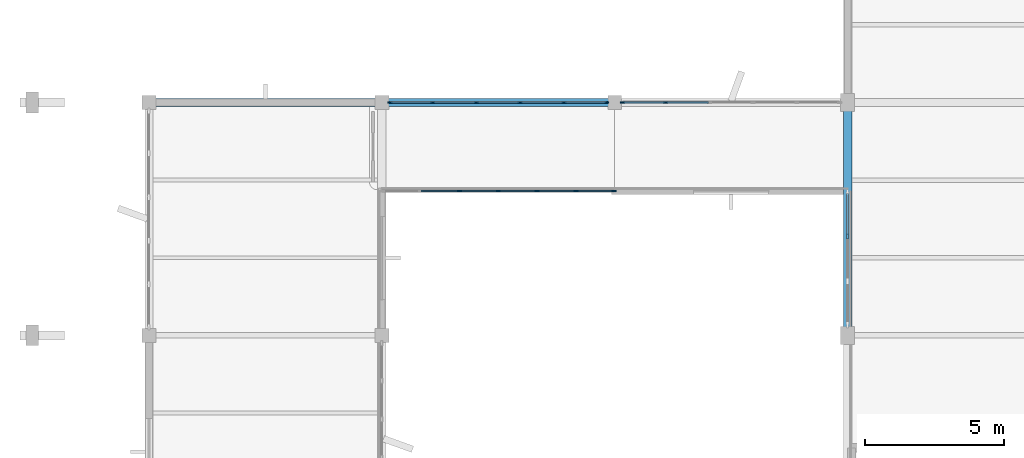
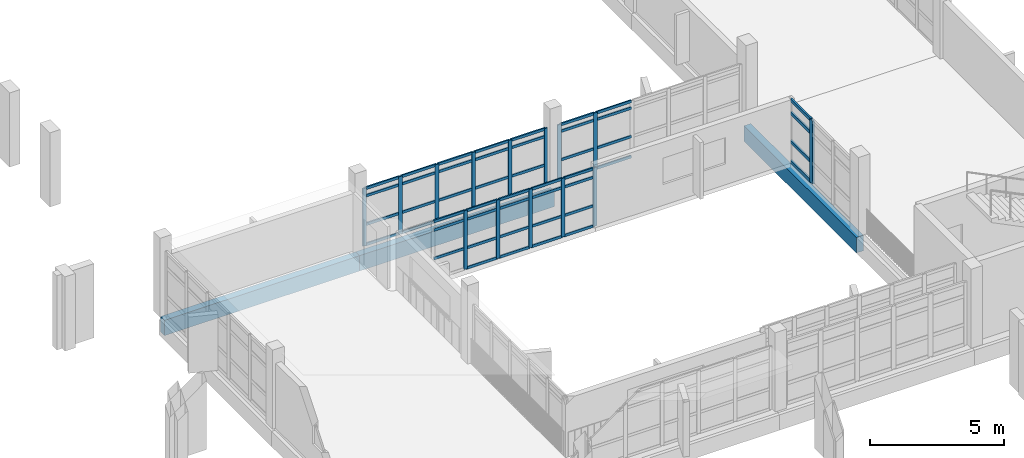
# One storey, part 9 of 104: 65 members, 3 beams, 4 elements without a shape of their own.
"""IFC4 building model written with IfcOpenShell, lengths in metres."""

from ifc_helpers import new_model, si_unit, direction, frame, origin, origin_2d, place, context, subcontext, project, spatial, rectangle, extrude, material, material_profile, profile_set, type_object, element, aggregate, save


model = new_model("IFC4")

# Units and contexts
model_context = context("Model", 3, precision=1e-05, world=origin(), true_north=direction((0.0, 1.0)))
body_context = subcontext(model_context, "Body", "Model", "MODEL_VIEW")
ifc_project = project(units=[si_unit("LENGTHUNIT", "METRE"), si_unit("AREAUNIT", "SQUARE_METRE"), si_unit("VOLUMEUNIT", "CUBIC_METRE"), si_unit("PLANEANGLEUNIT", "RADIAN"), si_unit("MASSUNIT", "GRAM", prefix="KILO")], contexts=[model_context])

# Site, building, storey
site_placement = place(None, origin())
site = spatial("IfcSite", under=ifc_project, at=site_placement, CompositionType="ELEMENT")
building_placement = place(site_placement, origin())
building = spatial("IfcBuilding", under=site, at=building_placement, Name="Vanh Quang Courtyard School", CompositionType="ELEMENT")
storey_placement = place(building_placement, frame((0.0, 0.0, 4.199951171875)))
storey = spatial("IfcBuildingStorey", under=building, at=storey_placement, Name="L01", CompositionType="ELEMENT", Elevation=4.199951171875)

# Beams
ifc_material_1 = material(Name="Concrete C35/45", Category="concrete")
ifc_material_profile_1 = material_profile(ifc_material_1, rectangle(XDim=0.300048828125, YDim=0.699951171875, at=origin_2d()), Name="RC-SP 300x700")
ifc_profile_set_1 = profile_set([ifc_material_profile_1], Name="Concrete C35/45")
beam_type = type_object("IfcBeamType", Name="BM-SP-300x700", PredefinedType="SPANDREL", material=ifc_profile_set_1)
beam_placement = place(storey_placement, frame((4.199951171875, 21.0, -0.6298828125), z_axis=(1.0, 0.0, 0.0), x_axis=(0.0, 1.0, 0.0)))
element("IfcBeam", 1, at=beam_placement, inside=storey, type_object=beam_type, Name="Beam BS-01 (L01)", PredefinedType="SPANDREL", context=body_context, shape_type="SweptSolid", body=[
    extrude(rectangle(XDim=0.300048828125, YDim=0.699951171875, at=origin_2d()), origin(), (0.0, 0.0, 1.0), 8.400146484375),
])
for number, where, z_axis, x_axis, name in (
    (2, (12.60009765625, 21.0, -0.6298828125), (1.0, 0.0, 0.0), (0.0, 1.0, 0.0), "Beam BS-01 (L01)"),
    (3, (29.39990234375, 12.60009765625, -0.6298828125), (0.0, 1.0, 0.0), (-1.0, 0.0, 0.0), "Beam BS-01 (L01)"),
):
    element("IfcBeam", number, at=place(storey_placement, frame(where, z_axis=z_axis, x_axis=x_axis)), inside=storey, type_object=beam_type, Name=name, PredefinedType="SPANDREL", context=body_context, shape_type="SweptSolid", body=[
        extrude(rectangle(XDim=0.300048828125, YDim=0.699951171875, at=origin_2d()), origin(), (0.0, 0.0, 1.0), 8.39990234375),
    ])

# Curtain wall, members
ifc_material_2 = material(Name="Thermally broken aluminium unitised curtain wall", Category="aluminium")
curtain_wall_type_1 = type_object("IfcCurtainWallType", Name="CW-SYS-19", PredefinedType="NOTDEFINED", material=ifc_material_2)
curtain_wall_1_placement = place(storey_placement, origin())
curtain_wall_1 = element("IfcCurtainWall", 4, at=curtain_wall_1_placement, inside=storey, type_object=curtain_wall_type_1, Name="Curtain Wall CW-19 (L01)", PredefinedType="NOTDEFINED")
ifc_material_3 = material(Name="Anodised aluminium 6063-T6", Category="aluminium")
ifc_material_profile_2 = material_profile(ifc_material_3, rectangle(XDim=0.06005859375, YDim=0.159912109375, at=origin_2d()), Name="ALU-MUL 60x160")
ifc_profile_set_2 = profile_set([ifc_material_profile_2], Name="Anodised aluminium 6063-T6")
member_type_1 = type_object("IfcMemberType", Name="CW-MUL-60x160", PredefinedType="MULLION", material=ifc_profile_set_2)
member_1_placement = place(storey_placement, frame((21.2880859375, 21.0, 0.0), z_axis=(0.0, 0.0, 1.0), x_axis=(0.0, 1.0, 0.0)))
member_1 = element("IfcMember", 5, at=member_1_placement, type_object=member_type_1, Name="CW-19 mullion 1", PredefinedType="MULLION", context=body_context, shape_type="SweptSolid", body=[
    extrude(rectangle(XDim=0.06005859375, YDim=0.159912109375, at=origin_2d()), origin(), (0.0, 0.0, 1.0), 2.580078125),
])
member_2_placement = place(storey_placement, frame((22.834716796875, 21.0, 0.0), z_axis=(0.0, 0.0, 1.0), x_axis=(0.0, 1.0, 0.0)))
member_2 = element("IfcMember", 6, at=member_2_placement, type_object=member_type_1, Name="CW-19 mullion 2", PredefinedType="MULLION", context=body_context, shape_type="SweptSolid", body=[
    extrude(rectangle(XDim=0.06005859375, YDim=0.159912109375, at=origin_2d()), origin(), (0.0, 0.0, 1.0), 2.580078125),
])

curtain_wall_2_placement = place(storey_placement, origin())
curtain_wall_2 = element("IfcCurtainWall", 7, at=curtain_wall_2_placement, inside=storey, type_object=curtain_wall_type_1, Name="Curtain Wall CW-19 (L01)", PredefinedType="NOTDEFINED")
member_3_placement = place(storey_placement, frame((12.887939453125, 21.0, 0.0), z_axis=(0.0, 0.0, 1.0), x_axis=(0.0, 1.0, 0.0)))
member_3 = element("IfcMember", 8, at=member_3_placement, type_object=member_type_1, Name="CW-19 mullion 1", PredefinedType="MULLION", context=body_context, shape_type="SweptSolid", body=[
    extrude(rectangle(XDim=0.06005859375, YDim=0.159912109375, at=origin_2d()), origin(), (0.0, 0.0, 1.0), 2.6201171875),
])
member_4_placement = place(storey_placement, frame((14.434814453125, 21.0, 0.0), z_axis=(0.0, 0.0, 1.0), x_axis=(0.0, 1.0, 0.0)))
member_4 = element("IfcMember", 9, at=member_4_placement, type_object=member_type_1, Name="CW-19 mullion 2", PredefinedType="MULLION", context=body_context, shape_type="SweptSolid", body=[
    extrude(rectangle(XDim=0.06005859375, YDim=0.159912109375, at=origin_2d()), origin(), (0.0, 0.0, 1.0), 2.6201171875),
])
member_5_placement = place(storey_placement, frame((16.01171875, 21.0, 0.0), z_axis=(0.0, 0.0, 1.0), x_axis=(0.0, 1.0, 0.0)))
member_5 = element("IfcMember", 10, at=member_5_placement, type_object=member_type_1, Name="CW-19 mullion 3", PredefinedType="MULLION", context=body_context, shape_type="SweptSolid", body=[
    extrude(rectangle(XDim=0.06005859375, YDim=0.159912109375, at=origin_2d()), origin(), (0.0, 0.0, 1.0), 2.6201171875),
])
member_6_placement = place(storey_placement, frame((17.58837890625, 21.0, 0.0), z_axis=(0.0, 0.0, 1.0), x_axis=(0.0, 1.0, 0.0)))
member_6 = element("IfcMember", 11, at=member_6_placement, type_object=member_type_1, Name="CW-19 mullion 4", PredefinedType="MULLION", context=body_context, shape_type="SweptSolid", body=[
    extrude(rectangle(XDim=0.06005859375, YDim=0.159912109375, at=origin_2d()), origin(), (0.0, 0.0, 1.0), 2.6201171875),
])
member_7_placement = place(storey_placement, frame((19.165283203125, 21.0, 0.0), z_axis=(0.0, 0.0, 1.0), x_axis=(0.0, 1.0, 0.0)))
member_7 = element("IfcMember", 12, at=member_7_placement, type_object=member_type_1, Name="CW-19 mullion 5", PredefinedType="MULLION", context=body_context, shape_type="SweptSolid", body=[
    extrude(rectangle(XDim=0.06005859375, YDim=0.159912109375, at=origin_2d()), origin(), (0.0, 0.0, 1.0), 2.6201171875),
])
member_8_placement = place(storey_placement, frame((20.7119140625, 21.0, 0.0), z_axis=(0.0, 0.0, 1.0), x_axis=(0.0, 1.0, 0.0)))
member_8 = element("IfcMember", 13, at=member_8_placement, type_object=member_type_1, Name="CW-19 mullion 6", PredefinedType="MULLION", context=body_context, shape_type="SweptSolid", body=[
    extrude(rectangle(XDim=0.06005859375, YDim=0.159912109375, at=origin_2d()), origin(), (0.0, 0.0, 1.0), 2.6201171875),
])

curtain_wall_type_2 = type_object("IfcCurtainWallType", Name="CW-SYS-33", PredefinedType="NOTDEFINED", material=ifc_material_2)
curtain_wall_3_placement = place(storey_placement, origin())
curtain_wall_3 = element("IfcCurtainWall", 14, at=curtain_wall_3_placement, inside=storey, type_object=curtain_wall_type_2, Name="Curtain Wall CW-33 (L01)", PredefinedType="NOTDEFINED")
member_9_placement = place(storey_placement, frame((20.969970703125, 17.800048828125, 0.0), z_axis=(0.0, 0.0, 1.0), x_axis=(0.0, -1.0, 0.0)))
member_9 = element("IfcMember", 15, at=member_9_placement, type_object=member_type_1, Name="CW-33 mullion 1", PredefinedType="MULLION", context=body_context, shape_type="SweptSolid", body=[
    extrude(rectangle(XDim=0.06005859375, YDim=0.159912109375, at=origin_2d()), origin(), (0.0, 0.0, 1.0), 2.670166015625),
])
member_10_placement = place(storey_placement, frame((19.60009765625, 17.800048828125, 0.0), z_axis=(0.0, 0.0, 1.0), x_axis=(0.0, -1.0, 0.0)))
member_10 = element("IfcMember", 16, at=member_10_placement, type_object=member_type_1, Name="CW-33 mullion 2", PredefinedType="MULLION", context=body_context, shape_type="SweptSolid", body=[
    extrude(rectangle(XDim=0.06005859375, YDim=0.159912109375, at=origin_2d()), origin(), (0.0, 0.0, 1.0), 2.670166015625),
])
member_11_placement = place(storey_placement, frame((18.199951171875, 17.800048828125, 0.0), z_axis=(0.0, 0.0, 1.0), x_axis=(0.0, -1.0, 0.0)))
member_11 = element("IfcMember", 17, at=member_11_placement, type_object=member_type_1, Name="CW-33 mullion 3", PredefinedType="MULLION", context=body_context, shape_type="SweptSolid", body=[
    extrude(rectangle(XDim=0.06005859375, YDim=0.159912109375, at=origin_2d()), origin(), (0.0, 0.0, 1.0), 2.670166015625),
])
member_12_placement = place(storey_placement, frame((16.800048828125, 17.800048828125, 0.0), z_axis=(0.0, 0.0, 1.0), x_axis=(0.0, -1.0, 0.0)))
member_12 = element("IfcMember", 18, at=member_12_placement, type_object=member_type_1, Name="CW-33 mullion 4", PredefinedType="MULLION", context=body_context, shape_type="SweptSolid", body=[
    extrude(rectangle(XDim=0.06005859375, YDim=0.159912109375, at=origin_2d()), origin(), (0.0, 0.0, 1.0), 2.670166015625),
])
member_13_placement = place(storey_placement, frame((15.39990234375, 17.800048828125, 0.0), z_axis=(0.0, 0.0, 1.0), x_axis=(0.0, -1.0, 0.0)))
member_13 = element("IfcMember", 19, at=member_13_placement, type_object=member_type_1, Name="CW-33 mullion 5", PredefinedType="MULLION", context=body_context, shape_type="SweptSolid", body=[
    extrude(rectangle(XDim=0.06005859375, YDim=0.159912109375, at=origin_2d()), origin(), (0.0, 0.0, 1.0), 2.670166015625),
])

# Curtain wall, member
curtain_wall_type_3 = type_object("IfcCurtainWallType", Name="CW-SYS-32", PredefinedType="NOTDEFINED", material=ifc_material_2)
curtain_wall_4_placement = place(storey_placement, origin())
curtain_wall_4 = element("IfcCurtainWall", 20, at=curtain_wall_4_placement, inside=storey, type_object=curtain_wall_type_3, Name="Curtain Wall CW-32 (L01)", PredefinedType="NOTDEFINED")
ifc_material_profile_3 = material_profile(ifc_material_3, rectangle(XDim=0.080078125, YDim=0.199951171875, at=origin_2d()), Name="ALU-MUL 80x200")
ifc_profile_set_3 = profile_set([ifc_material_profile_3], Name="Anodised aluminium 6063-T6")
member_type_2 = type_object("IfcMemberType", Name="CW-MUL-80x200", PredefinedType="MULLION", material=ifc_profile_set_3)
member_14_placement = place(storey_placement, frame((29.39990234375, 16.177734375, 0.0), z_axis=(0.0, 0.0, 1.0), x_axis=(-1.0, 0.0, 0.0)))
member_14 = element("IfcMember", 21, at=member_14_placement, type_object=member_type_2, Name="CW-32 mullion 3", PredefinedType="MULLION", context=body_context, shape_type="SweptSolid", body=[
    extrude(rectangle(XDim=0.080078125, YDim=0.199951171875, at=origin_2d()), origin(), (0.0, 0.0, 1.0), 2.880126953125),
])

# Member
ifc_material_profile_4 = material_profile(ifc_material_3, rectangle(XDim=0.06005859375, YDim=0.1201171875, at=origin_2d()), Name="ALU-TRN 60x120")
ifc_profile_set_4 = profile_set([ifc_material_profile_4], Name="Anodised aluminium 6063-T6")
member_type_3 = type_object("IfcMemberType", Name="CW-TRN-60x120", PredefinedType="USERDEFINED", material=ifc_profile_set_4)
member_15_placement = place(storey_placement, frame((21.318115234375, 21.0, 0.030029296875), z_axis=(1.0, 0.0, 0.0), x_axis=(0.0, 1.0, 0.0)))
member_15 = element("IfcMember", 22, at=member_15_placement, type_object=member_type_3, Name="CW-19 transom 1.1", ObjectType="TRANSOM", PredefinedType="USERDEFINED", context=body_context, shape_type="SweptSolid", body=[
    extrude(rectangle(XDim=0.06005859375, YDim=0.1201171875, at=origin_2d()), origin(), (0.0, 0.0, 1.0), 1.486572265625),
])

member_16_placement = place(storey_placement, frame((21.318115234375, 21.0, 0.949951171875), z_axis=(1.0, 0.0, 0.0), x_axis=(0.0, 1.0, 0.0)))
member_16 = element("IfcMember", 23, at=member_16_placement, type_object=member_type_3, Name="CW-19 transom 1.2", ObjectType="TRANSOM", PredefinedType="USERDEFINED", context=body_context, shape_type="SweptSolid", body=[
    extrude(rectangle(XDim=0.06005859375, YDim=0.1201171875, at=origin_2d()), origin(), (0.0, 0.0, 1.0), 1.486572265625),
])

member_17_placement = place(storey_placement, frame((21.318115234375, 21.0, 2.25), z_axis=(1.0, 0.0, 0.0), x_axis=(0.0, 1.0, 0.0)))
member_17 = element("IfcMember", 24, at=member_17_placement, type_object=member_type_3, Name="CW-19 transom 1.3", ObjectType="TRANSOM", PredefinedType="USERDEFINED", context=body_context, shape_type="SweptSolid", body=[
    extrude(rectangle(XDim=0.06005859375, YDim=0.1201171875, at=origin_2d()), origin(), (0.0, 0.0, 1.0), 1.486572265625),
])

member_18_placement = place(storey_placement, frame((21.318115234375, 21.0, 2.550048828125), z_axis=(1.0, 0.0, 0.0), x_axis=(0.0, 1.0, 0.0)))
member_18 = element("IfcMember", 25, at=member_18_placement, type_object=member_type_3, Name="CW-19 transom 1.4", ObjectType="TRANSOM", PredefinedType="USERDEFINED", context=body_context, shape_type="SweptSolid", body=[
    extrude(rectangle(XDim=0.06005859375, YDim=0.1201171875, at=origin_2d()), origin(), (0.0, 0.0, 1.0), 1.486572265625),
])

member_19_placement = place(storey_placement, frame((22.86474609375, 21.0, 0.030029296875), z_axis=(1.0, 0.0, 0.0), x_axis=(0.0, 1.0, 0.0)))
member_19 = element("IfcMember", 26, at=member_19_placement, type_object=member_type_3, Name="CW-19 transom 2.1", ObjectType="TRANSOM", PredefinedType="USERDEFINED", context=body_context, shape_type="SweptSolid", body=[
    extrude(rectangle(XDim=0.06005859375, YDim=0.1201171875, at=origin_2d()), origin(), (0.0, 0.0, 1.0), 1.516845703125),
])

member_20_placement = place(storey_placement, frame((22.86474609375, 21.0, 0.949951171875), z_axis=(1.0, 0.0, 0.0), x_axis=(0.0, 1.0, 0.0)))
member_20 = element("IfcMember", 27, at=member_20_placement, type_object=member_type_3, Name="CW-19 transom 2.2", ObjectType="TRANSOM", PredefinedType="USERDEFINED", context=body_context, shape_type="SweptSolid", body=[
    extrude(rectangle(XDim=0.06005859375, YDim=0.1201171875, at=origin_2d()), origin(), (0.0, 0.0, 1.0), 1.516845703125),
])

member_21_placement = place(storey_placement, frame((22.86474609375, 21.0, 2.25), z_axis=(1.0, 0.0, 0.0), x_axis=(0.0, 1.0, 0.0)))
member_21 = element("IfcMember", 28, at=member_21_placement, type_object=member_type_3, Name="CW-19 transom 2.3", ObjectType="TRANSOM", PredefinedType="USERDEFINED", context=body_context, shape_type="SweptSolid", body=[
    extrude(rectangle(XDim=0.06005859375, YDim=0.1201171875, at=origin_2d()), origin(), (0.0, 0.0, 1.0), 1.516845703125),
])

member_22_placement = place(storey_placement, frame((22.86474609375, 21.0, 2.550048828125), z_axis=(1.0, 0.0, 0.0), x_axis=(0.0, 1.0, 0.0)))
member_22 = element("IfcMember", 29, at=member_22_placement, type_object=member_type_3, Name="CW-19 transom 2.4", ObjectType="TRANSOM", PredefinedType="USERDEFINED", context=body_context, shape_type="SweptSolid", body=[
    extrude(rectangle(XDim=0.06005859375, YDim=0.1201171875, at=origin_2d()), origin(), (0.0, 0.0, 1.0), 1.516845703125),
])

aggregate(curtain_wall_1, [member_1, member_2, member_15, member_16, member_17, member_18, member_19, member_20, member_21, member_22])

member_23_placement = place(storey_placement, frame((12.91796875, 21.0, 0.030029296875), z_axis=(1.0, 0.0, 0.0), x_axis=(0.0, 1.0, 0.0)))
member_23 = element("IfcMember", 30, at=member_23_placement, type_object=member_type_3, Name="CW-19 transom 1.1", ObjectType="TRANSOM", PredefinedType="USERDEFINED", context=body_context, shape_type="SweptSolid", body=[
    extrude(rectangle(XDim=0.06005859375, YDim=0.1201171875, at=origin_2d()), origin(), (0.0, 0.0, 1.0), 1.48681640625),
])

member_24_placement = place(storey_placement, frame((12.91796875, 21.0, 0.949951171875), z_axis=(1.0, 0.0, 0.0), x_axis=(0.0, 1.0, 0.0)))
member_24 = element("IfcMember", 31, at=member_24_placement, type_object=member_type_3, Name="CW-19 transom 1.2", ObjectType="TRANSOM", PredefinedType="USERDEFINED", context=body_context, shape_type="SweptSolid", body=[
    extrude(rectangle(XDim=0.06005859375, YDim=0.1201171875, at=origin_2d()), origin(), (0.0, 0.0, 1.0), 1.48681640625),
])

member_25_placement = place(storey_placement, frame((12.91796875, 21.0, 2.25), z_axis=(1.0, 0.0, 0.0), x_axis=(0.0, 1.0, 0.0)))
member_25 = element("IfcMember", 32, at=member_25_placement, type_object=member_type_3, Name="CW-19 transom 1.3", ObjectType="TRANSOM", PredefinedType="USERDEFINED", context=body_context, shape_type="SweptSolid", body=[
    extrude(rectangle(XDim=0.06005859375, YDim=0.1201171875, at=origin_2d()), origin(), (0.0, 0.0, 1.0), 1.48681640625),
])

member_26_placement = place(storey_placement, frame((12.91796875, 21.0, 2.590087890625), z_axis=(1.0, 0.0, 0.0), x_axis=(0.0, 1.0, 0.0)))
member_26 = element("IfcMember", 33, at=member_26_placement, type_object=member_type_3, Name="CW-19 transom 1.4", ObjectType="TRANSOM", PredefinedType="USERDEFINED", context=body_context, shape_type="SweptSolid", body=[
    extrude(rectangle(XDim=0.06005859375, YDim=0.1201171875, at=origin_2d()), origin(), (0.0, 0.0, 1.0), 1.48681640625),
])

member_27_placement = place(storey_placement, frame((14.46484375, 21.0, 0.030029296875), z_axis=(1.0, 0.0, 0.0), x_axis=(0.0, 1.0, 0.0)))
member_27 = element("IfcMember", 34, at=member_27_placement, type_object=member_type_3, Name="CW-19 transom 2.1", ObjectType="TRANSOM", PredefinedType="USERDEFINED", context=body_context, shape_type="SweptSolid", body=[
    extrude(rectangle(XDim=0.06005859375, YDim=0.1201171875, at=origin_2d()), origin(), (0.0, 0.0, 1.0), 1.516845703125),
])

member_28_placement = place(storey_placement, frame((14.46484375, 21.0, 0.949951171875), z_axis=(1.0, 0.0, 0.0), x_axis=(0.0, 1.0, 0.0)))
member_28 = element("IfcMember", 35, at=member_28_placement, type_object=member_type_3, Name="CW-19 transom 2.2", ObjectType="TRANSOM", PredefinedType="USERDEFINED", context=body_context, shape_type="SweptSolid", body=[
    extrude(rectangle(XDim=0.06005859375, YDim=0.1201171875, at=origin_2d()), origin(), (0.0, 0.0, 1.0), 1.516845703125),
])

member_29_placement = place(storey_placement, frame((14.46484375, 21.0, 2.25), z_axis=(1.0, 0.0, 0.0), x_axis=(0.0, 1.0, 0.0)))
member_29 = element("IfcMember", 36, at=member_29_placement, type_object=member_type_3, Name="CW-19 transom 2.3", ObjectType="TRANSOM", PredefinedType="USERDEFINED", context=body_context, shape_type="SweptSolid", body=[
    extrude(rectangle(XDim=0.06005859375, YDim=0.1201171875, at=origin_2d()), origin(), (0.0, 0.0, 1.0), 1.516845703125),
])

member_30_placement = place(storey_placement, frame((14.46484375, 21.0, 2.590087890625), z_axis=(1.0, 0.0, 0.0), x_axis=(0.0, 1.0, 0.0)))
member_30 = element("IfcMember", 37, at=member_30_placement, type_object=member_type_3, Name="CW-19 transom 2.4", ObjectType="TRANSOM", PredefinedType="USERDEFINED", context=body_context, shape_type="SweptSolid", body=[
    extrude(rectangle(XDim=0.06005859375, YDim=0.1201171875, at=origin_2d()), origin(), (0.0, 0.0, 1.0), 1.516845703125),
])

member_31_placement = place(storey_placement, frame((16.04150390625, 21.0, 0.030029296875), z_axis=(1.0, 0.0, 0.0), x_axis=(0.0, 1.0, 0.0)))
member_31 = element("IfcMember", 38, at=member_31_placement, type_object=member_type_3, Name="CW-19 transom 3.1", ObjectType="TRANSOM", PredefinedType="USERDEFINED", context=body_context, shape_type="SweptSolid", body=[
    extrude(rectangle(XDim=0.06005859375, YDim=0.1201171875, at=origin_2d()), origin(), (0.0, 0.0, 1.0), 1.516845703125),
])

member_32_placement = place(storey_placement, frame((16.04150390625, 21.0, 0.949951171875), z_axis=(1.0, 0.0, 0.0), x_axis=(0.0, 1.0, 0.0)))
member_32 = element("IfcMember", 39, at=member_32_placement, type_object=member_type_3, Name="CW-19 transom 3.2", ObjectType="TRANSOM", PredefinedType="USERDEFINED", context=body_context, shape_type="SweptSolid", body=[
    extrude(rectangle(XDim=0.06005859375, YDim=0.1201171875, at=origin_2d()), origin(), (0.0, 0.0, 1.0), 1.516845703125),
])

member_33_placement = place(storey_placement, frame((16.04150390625, 21.0, 2.25), z_axis=(1.0, 0.0, 0.0), x_axis=(0.0, 1.0, 0.0)))
member_33 = element("IfcMember", 40, at=member_33_placement, type_object=member_type_3, Name="CW-19 transom 3.3", ObjectType="TRANSOM", PredefinedType="USERDEFINED", context=body_context, shape_type="SweptSolid", body=[
    extrude(rectangle(XDim=0.06005859375, YDim=0.1201171875, at=origin_2d()), origin(), (0.0, 0.0, 1.0), 1.516845703125),
])

member_34_placement = place(storey_placement, frame((16.04150390625, 21.0, 2.590087890625), z_axis=(1.0, 0.0, 0.0), x_axis=(0.0, 1.0, 0.0)))
member_34 = element("IfcMember", 41, at=member_34_placement, type_object=member_type_3, Name="CW-19 transom 3.4", ObjectType="TRANSOM", PredefinedType="USERDEFINED", context=body_context, shape_type="SweptSolid", body=[
    extrude(rectangle(XDim=0.06005859375, YDim=0.1201171875, at=origin_2d()), origin(), (0.0, 0.0, 1.0), 1.516845703125),
])

member_35_placement = place(storey_placement, frame((17.618408203125, 21.0, 0.030029296875), z_axis=(1.0, 0.0, 0.0), x_axis=(0.0, 1.0, 0.0)))
member_35 = element("IfcMember", 42, at=member_35_placement, type_object=member_type_3, Name="CW-19 transom 4.1", ObjectType="TRANSOM", PredefinedType="USERDEFINED", context=body_context, shape_type="SweptSolid", body=[
    extrude(rectangle(XDim=0.06005859375, YDim=0.1201171875, at=origin_2d()), origin(), (0.0, 0.0, 1.0), 1.516845703125),
])

member_36_placement = place(storey_placement, frame((17.618408203125, 21.0, 0.949951171875), z_axis=(1.0, 0.0, 0.0), x_axis=(0.0, 1.0, 0.0)))
member_36 = element("IfcMember", 43, at=member_36_placement, type_object=member_type_3, Name="CW-19 transom 4.2", ObjectType="TRANSOM", PredefinedType="USERDEFINED", context=body_context, shape_type="SweptSolid", body=[
    extrude(rectangle(XDim=0.06005859375, YDim=0.1201171875, at=origin_2d()), origin(), (0.0, 0.0, 1.0), 1.516845703125),
])

member_37_placement = place(storey_placement, frame((17.618408203125, 21.0, 2.25), z_axis=(1.0, 0.0, 0.0), x_axis=(0.0, 1.0, 0.0)))
member_37 = element("IfcMember", 44, at=member_37_placement, type_object=member_type_3, Name="CW-19 transom 4.3", ObjectType="TRANSOM", PredefinedType="USERDEFINED", context=body_context, shape_type="SweptSolid", body=[
    extrude(rectangle(XDim=0.06005859375, YDim=0.1201171875, at=origin_2d()), origin(), (0.0, 0.0, 1.0), 1.516845703125),
])

member_38_placement = place(storey_placement, frame((17.618408203125, 21.0, 2.590087890625), z_axis=(1.0, 0.0, 0.0), x_axis=(0.0, 1.0, 0.0)))
member_38 = element("IfcMember", 45, at=member_38_placement, type_object=member_type_3, Name="CW-19 transom 4.4", ObjectType="TRANSOM", PredefinedType="USERDEFINED", context=body_context, shape_type="SweptSolid", body=[
    extrude(rectangle(XDim=0.06005859375, YDim=0.1201171875, at=origin_2d()), origin(), (0.0, 0.0, 1.0), 1.516845703125),
])

member_39_placement = place(storey_placement, frame((19.1953125, 21.0, 0.030029296875), z_axis=(1.0, 0.0, 0.0), x_axis=(0.0, 1.0, 0.0)))
member_39 = element("IfcMember", 46, at=member_39_placement, type_object=member_type_3, Name="CW-19 transom 5.1", ObjectType="TRANSOM", PredefinedType="USERDEFINED", context=body_context, shape_type="SweptSolid", body=[
    extrude(rectangle(XDim=0.06005859375, YDim=0.1201171875, at=origin_2d()), origin(), (0.0, 0.0, 1.0), 1.486572265625),
])

member_40_placement = place(storey_placement, frame((19.1953125, 21.0, 0.949951171875), z_axis=(1.0, 0.0, 0.0), x_axis=(0.0, 1.0, 0.0)))
member_40 = element("IfcMember", 47, at=member_40_placement, type_object=member_type_3, Name="CW-19 transom 5.2", ObjectType="TRANSOM", PredefinedType="USERDEFINED", context=body_context, shape_type="SweptSolid", body=[
    extrude(rectangle(XDim=0.06005859375, YDim=0.1201171875, at=origin_2d()), origin(), (0.0, 0.0, 1.0), 1.486572265625),
])

member_41_placement = place(storey_placement, frame((19.1953125, 21.0, 2.25), z_axis=(1.0, 0.0, 0.0), x_axis=(0.0, 1.0, 0.0)))
member_41 = element("IfcMember", 48, at=member_41_placement, type_object=member_type_3, Name="CW-19 transom 5.3", ObjectType="TRANSOM", PredefinedType="USERDEFINED", context=body_context, shape_type="SweptSolid", body=[
    extrude(rectangle(XDim=0.06005859375, YDim=0.1201171875, at=origin_2d()), origin(), (0.0, 0.0, 1.0), 1.486572265625),
])

member_42_placement = place(storey_placement, frame((19.1953125, 21.0, 2.590087890625), z_axis=(1.0, 0.0, 0.0), x_axis=(0.0, 1.0, 0.0)))
member_42 = element("IfcMember", 49, at=member_42_placement, type_object=member_type_3, Name="CW-19 transom 5.4", ObjectType="TRANSOM", PredefinedType="USERDEFINED", context=body_context, shape_type="SweptSolid", body=[
    extrude(rectangle(XDim=0.06005859375, YDim=0.1201171875, at=origin_2d()), origin(), (0.0, 0.0, 1.0), 1.486572265625),
])

aggregate(curtain_wall_2, [member_3, member_4, member_5, member_6, member_7, member_8, member_23, member_24, member_25, member_26, member_27, member_28, member_29, member_30, member_31, member_32, member_33, member_34, member_35, member_36, member_37, member_38, member_39, member_40, member_41, member_42])

member_43_placement = place(storey_placement, frame((20.93994140625, 17.800048828125, 0.030029296875), z_axis=(-1.0, 0.0, 0.0), x_axis=(0.0, -1.0, 0.0)))
member_43 = element("IfcMember", 50, at=member_43_placement, type_object=member_type_3, Name="CW-33 transom 1.1", ObjectType="TRANSOM", PredefinedType="USERDEFINED", context=body_context, shape_type="SweptSolid", body=[
    extrude(rectangle(XDim=0.06005859375, YDim=0.1201171875, at=origin_2d()), origin(), (0.0, 0.0, 1.0), 1.31005859375),
])

member_44_placement = place(storey_placement, frame((20.93994140625, 17.800048828125, 0.949951171875), z_axis=(-1.0, 0.0, 0.0), x_axis=(0.0, -1.0, 0.0)))
member_44 = element("IfcMember", 51, at=member_44_placement, type_object=member_type_3, Name="CW-33 transom 1.2", ObjectType="TRANSOM", PredefinedType="USERDEFINED", context=body_context, shape_type="SweptSolid", body=[
    extrude(rectangle(XDim=0.06005859375, YDim=0.1201171875, at=origin_2d()), origin(), (0.0, 0.0, 1.0), 1.31005859375),
])

member_45_placement = place(storey_placement, frame((20.93994140625, 17.800048828125, 2.25), z_axis=(-1.0, 0.0, 0.0), x_axis=(0.0, -1.0, 0.0)))
member_45 = element("IfcMember", 52, at=member_45_placement, type_object=member_type_3, Name="CW-33 transom 1.3", ObjectType="TRANSOM", PredefinedType="USERDEFINED", context=body_context, shape_type="SweptSolid", body=[
    extrude(rectangle(XDim=0.06005859375, YDim=0.1201171875, at=origin_2d()), origin(), (0.0, 0.0, 1.0), 1.31005859375),
])

member_46_placement = place(storey_placement, frame((20.93994140625, 17.800048828125, 2.64013671875), z_axis=(-1.0, 0.0, 0.0), x_axis=(0.0, -1.0, 0.0)))
member_46 = element("IfcMember", 53, at=member_46_placement, type_object=member_type_3, Name="CW-33 transom 1.4", ObjectType="TRANSOM", PredefinedType="USERDEFINED", context=body_context, shape_type="SweptSolid", body=[
    extrude(rectangle(XDim=0.06005859375, YDim=0.1201171875, at=origin_2d()), origin(), (0.0, 0.0, 1.0), 1.31005859375),
])

member_47_placement = place(storey_placement, frame((19.570068359375, 17.800048828125, 0.030029296875), z_axis=(-1.0, 0.0, 0.0), x_axis=(0.0, -1.0, 0.0)))
member_47 = element("IfcMember", 54, at=member_47_placement, type_object=member_type_3, Name="CW-33 transom 2.1", ObjectType="TRANSOM", PredefinedType="USERDEFINED", context=body_context, shape_type="SweptSolid", body=[
    extrude(rectangle(XDim=0.06005859375, YDim=0.1201171875, at=origin_2d()), origin(), (0.0, 0.0, 1.0), 1.340087890625),
])

member_48_placement = place(storey_placement, frame((19.570068359375, 17.800048828125, 0.949951171875), z_axis=(-1.0, 0.0, 0.0), x_axis=(0.0, -1.0, 0.0)))
member_48 = element("IfcMember", 55, at=member_48_placement, type_object=member_type_3, Name="CW-33 transom 2.2", ObjectType="TRANSOM", PredefinedType="USERDEFINED", context=body_context, shape_type="SweptSolid", body=[
    extrude(rectangle(XDim=0.06005859375, YDim=0.1201171875, at=origin_2d()), origin(), (0.0, 0.0, 1.0), 1.340087890625),
])

member_49_placement = place(storey_placement, frame((19.570068359375, 17.800048828125, 2.25), z_axis=(-1.0, 0.0, 0.0), x_axis=(0.0, -1.0, 0.0)))
member_49 = element("IfcMember", 56, at=member_49_placement, type_object=member_type_3, Name="CW-33 transom 2.3", ObjectType="TRANSOM", PredefinedType="USERDEFINED", context=body_context, shape_type="SweptSolid", body=[
    extrude(rectangle(XDim=0.06005859375, YDim=0.1201171875, at=origin_2d()), origin(), (0.0, 0.0, 1.0), 1.340087890625),
])

member_50_placement = place(storey_placement, frame((19.570068359375, 17.800048828125, 2.64013671875), z_axis=(-1.0, 0.0, 0.0), x_axis=(0.0, -1.0, 0.0)))
member_50 = element("IfcMember", 57, at=member_50_placement, type_object=member_type_3, Name="CW-33 transom 2.4", ObjectType="TRANSOM", PredefinedType="USERDEFINED", context=body_context, shape_type="SweptSolid", body=[
    extrude(rectangle(XDim=0.06005859375, YDim=0.1201171875, at=origin_2d()), origin(), (0.0, 0.0, 1.0), 1.340087890625),
])

member_51_placement = place(storey_placement, frame((18.169921875, 17.800048828125, 0.030029296875), z_axis=(-1.0, 0.0, 0.0), x_axis=(0.0, -1.0, 0.0)))
member_51 = element("IfcMember", 58, at=member_51_placement, type_object=member_type_3, Name="CW-33 transom 3.1", ObjectType="TRANSOM", PredefinedType="USERDEFINED", context=body_context, shape_type="SweptSolid", body=[
    extrude(rectangle(XDim=0.06005859375, YDim=0.1201171875, at=origin_2d()), origin(), (0.0, 0.0, 1.0), 1.33984375),
])

member_52_placement = place(storey_placement, frame((18.169921875, 17.800048828125, 0.949951171875), z_axis=(-1.0, 0.0, 0.0), x_axis=(0.0, -1.0, 0.0)))
member_52 = element("IfcMember", 59, at=member_52_placement, type_object=member_type_3, Name="CW-33 transom 3.2", ObjectType="TRANSOM", PredefinedType="USERDEFINED", context=body_context, shape_type="SweptSolid", body=[
    extrude(rectangle(XDim=0.06005859375, YDim=0.1201171875, at=origin_2d()), origin(), (0.0, 0.0, 1.0), 1.33984375),
])

member_53_placement = place(storey_placement, frame((18.169921875, 17.800048828125, 2.25), z_axis=(-1.0, 0.0, 0.0), x_axis=(0.0, -1.0, 0.0)))
member_53 = element("IfcMember", 60, at=member_53_placement, type_object=member_type_3, Name="CW-33 transom 3.3", ObjectType="TRANSOM", PredefinedType="USERDEFINED", context=body_context, shape_type="SweptSolid", body=[
    extrude(rectangle(XDim=0.06005859375, YDim=0.1201171875, at=origin_2d()), origin(), (0.0, 0.0, 1.0), 1.33984375),
])

member_54_placement = place(storey_placement, frame((18.169921875, 17.800048828125, 2.64013671875), z_axis=(-1.0, 0.0, 0.0), x_axis=(0.0, -1.0, 0.0)))
member_54 = element("IfcMember", 61, at=member_54_placement, type_object=member_type_3, Name="CW-33 transom 3.4", ObjectType="TRANSOM", PredefinedType="USERDEFINED", context=body_context, shape_type="SweptSolid", body=[
    extrude(rectangle(XDim=0.06005859375, YDim=0.1201171875, at=origin_2d()), origin(), (0.0, 0.0, 1.0), 1.33984375),
])

member_55_placement = place(storey_placement, frame((16.77001953125, 17.800048828125, 0.030029296875), z_axis=(-1.0, 0.0, 0.0), x_axis=(0.0, -1.0, 0.0)))
member_55 = element("IfcMember", 62, at=member_55_placement, type_object=member_type_3, Name="CW-33 transom 4.1", ObjectType="TRANSOM", PredefinedType="USERDEFINED", context=body_context, shape_type="SweptSolid", body=[
    extrude(rectangle(XDim=0.06005859375, YDim=0.1201171875, at=origin_2d()), origin(), (0.0, 0.0, 1.0), 1.340087890625),
])

member_56_placement = place(storey_placement, frame((16.77001953125, 17.800048828125, 0.949951171875), z_axis=(-1.0, 0.0, 0.0), x_axis=(0.0, -1.0, 0.0)))
member_56 = element("IfcMember", 63, at=member_56_placement, type_object=member_type_3, Name="CW-33 transom 4.2", ObjectType="TRANSOM", PredefinedType="USERDEFINED", context=body_context, shape_type="SweptSolid", body=[
    extrude(rectangle(XDim=0.06005859375, YDim=0.1201171875, at=origin_2d()), origin(), (0.0, 0.0, 1.0), 1.340087890625),
])

member_57_placement = place(storey_placement, frame((16.77001953125, 17.800048828125, 2.25), z_axis=(-1.0, 0.0, 0.0), x_axis=(0.0, -1.0, 0.0)))
member_57 = element("IfcMember", 64, at=member_57_placement, type_object=member_type_3, Name="CW-33 transom 4.3", ObjectType="TRANSOM", PredefinedType="USERDEFINED", context=body_context, shape_type="SweptSolid", body=[
    extrude(rectangle(XDim=0.06005859375, YDim=0.1201171875, at=origin_2d()), origin(), (0.0, 0.0, 1.0), 1.340087890625),
])

member_58_placement = place(storey_placement, frame((16.77001953125, 17.800048828125, 2.64013671875), z_axis=(-1.0, 0.0, 0.0), x_axis=(0.0, -1.0, 0.0)))
member_58 = element("IfcMember", 65, at=member_58_placement, type_object=member_type_3, Name="CW-33 transom 4.4", ObjectType="TRANSOM", PredefinedType="USERDEFINED", context=body_context, shape_type="SweptSolid", body=[
    extrude(rectangle(XDim=0.06005859375, YDim=0.1201171875, at=origin_2d()), origin(), (0.0, 0.0, 1.0), 1.340087890625),
])

member_59_placement = place(storey_placement, frame((15.3701171875, 17.800048828125, 0.949951171875), z_axis=(-1.0, 0.0, 0.0), x_axis=(0.0, -1.0, 0.0)))
member_59 = element("IfcMember", 66, at=member_59_placement, type_object=member_type_3, Name="CW-33 transom 5.2", ObjectType="TRANSOM", PredefinedType="USERDEFINED", context=body_context, shape_type="SweptSolid", body=[
    extrude(rectangle(XDim=0.06005859375, YDim=0.1201171875, at=origin_2d()), origin(), (0.0, 0.0, 1.0), 1.340087890625),
])

member_60_placement = place(storey_placement, frame((15.3701171875, 17.800048828125, 2.25), z_axis=(-1.0, 0.0, 0.0), x_axis=(0.0, -1.0, 0.0)))
member_60 = element("IfcMember", 67, at=member_60_placement, type_object=member_type_3, Name="CW-33 transom 5.3", ObjectType="TRANSOM", PredefinedType="USERDEFINED", context=body_context, shape_type="SweptSolid", body=[
    extrude(rectangle(XDim=0.06005859375, YDim=0.1201171875, at=origin_2d()), origin(), (0.0, 0.0, 1.0), 1.340087890625),
])

member_61_placement = place(storey_placement, frame((15.3701171875, 17.800048828125, 2.64013671875), z_axis=(-1.0, 0.0, 0.0), x_axis=(0.0, -1.0, 0.0)))
member_61 = element("IfcMember", 68, at=member_61_placement, type_object=member_type_3, Name="CW-33 transom 5.4", ObjectType="TRANSOM", PredefinedType="USERDEFINED", context=body_context, shape_type="SweptSolid", body=[
    extrude(rectangle(XDim=0.06005859375, YDim=0.1201171875, at=origin_2d()), origin(), (0.0, 0.0, 1.0), 1.340087890625),
])

aggregate(curtain_wall_3, [member_9, member_10, member_11, member_12, member_13, member_43, member_44, member_45, member_46, member_47, member_48, member_49, member_50, member_51, member_52, member_53, member_54, member_55, member_56, member_57, member_58, member_59, member_60, member_61])

ifc_material_profile_5 = material_profile(ifc_material_3, rectangle(XDim=0.080078125, YDim=0.14990234375, at=origin_2d()), Name="ALU-TRN 80x150")
ifc_profile_set_5 = profile_set([ifc_material_profile_5], Name="Anodised aluminium 6063-T6")
member_type_4 = type_object("IfcMemberType", Name="CW-TRN-80x150", PredefinedType="USERDEFINED", material=ifc_profile_set_5)
member_62_placement = place(storey_placement, frame((29.39990234375, 16.2177734375, 0.0400390625), z_axis=(0.0, 1.0, 0.0), x_axis=(-1.0, 0.0, 0.0)))
member_62 = element("IfcMember", 69, at=member_62_placement, type_object=member_type_4, Name="CW-32 transom 3.1", ObjectType="TRANSOM", PredefinedType="USERDEFINED", context=body_context, shape_type="SweptSolid", body=[
    extrude(rectangle(XDim=0.080078125, YDim=0.14990234375, at=origin_2d()), origin(), (0.0, 0.0, 1.0), 1.502197265625),
])

member_63_placement = place(storey_placement, frame((29.39990234375, 16.2177734375, 0.949951171875), z_axis=(0.0, 1.0, 0.0), x_axis=(-1.0, 0.0, 0.0)))
member_63 = element("IfcMember", 70, at=member_63_placement, type_object=member_type_4, Name="CW-32 transom 3.2", ObjectType="TRANSOM", PredefinedType="USERDEFINED", context=body_context, shape_type="SweptSolid", body=[
    extrude(rectangle(XDim=0.080078125, YDim=0.14990234375, at=origin_2d()), origin(), (0.0, 0.0, 1.0), 1.502197265625),
])

member_64_placement = place(storey_placement, frame((29.39990234375, 16.2177734375, 2.25), z_axis=(0.0, 1.0, 0.0), x_axis=(-1.0, 0.0, 0.0)))
member_64 = element("IfcMember", 71, at=member_64_placement, type_object=member_type_4, Name="CW-32 transom 3.3", ObjectType="TRANSOM", PredefinedType="USERDEFINED", context=body_context, shape_type="SweptSolid", body=[
    extrude(rectangle(XDim=0.080078125, YDim=0.14990234375, at=origin_2d()), origin(), (0.0, 0.0, 1.0), 1.502197265625),
])

member_65_placement = place(storey_placement, frame((29.39990234375, 16.2177734375, 2.840087890625), z_axis=(0.0, 1.0, 0.0), x_axis=(-1.0, 0.0, 0.0)))
member_65 = element("IfcMember", 72, at=member_65_placement, type_object=member_type_4, Name="CW-32 transom 3.4", ObjectType="TRANSOM", PredefinedType="USERDEFINED", context=body_context, shape_type="SweptSolid", body=[
    extrude(rectangle(XDim=0.080078125, YDim=0.14990234375, at=origin_2d()), origin(), (0.0, 0.0, 1.0), 1.502197265625),
])

aggregate(curtain_wall_4, [member_14, member_62, member_63, member_64, member_65])

save(model, "model.ifc")
